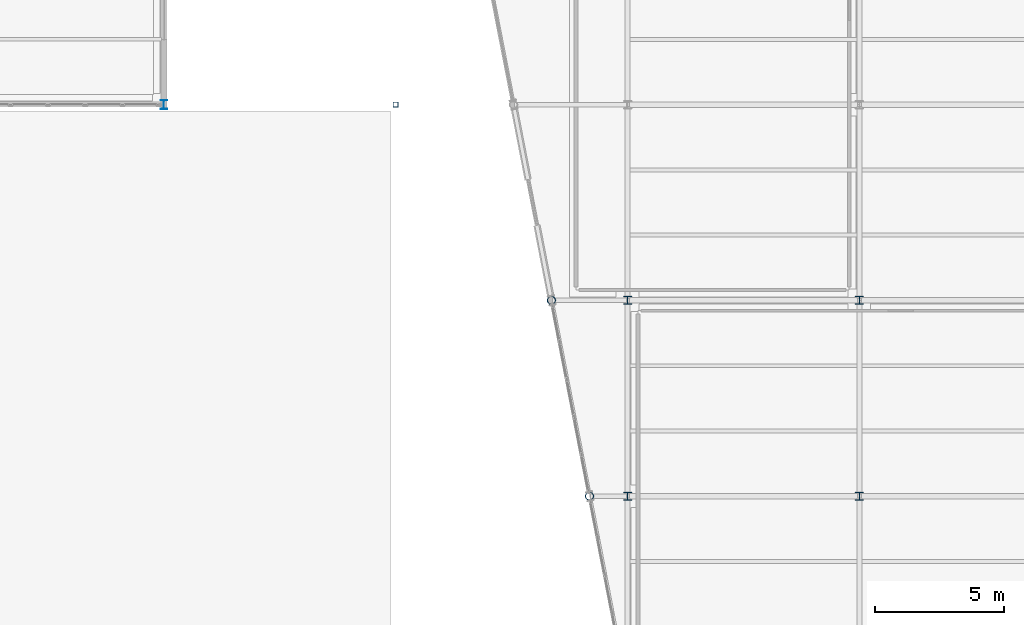
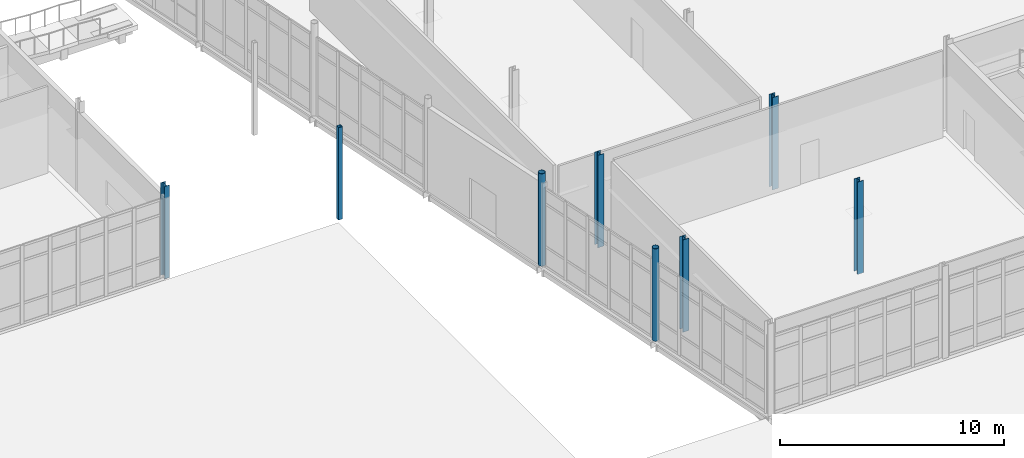
# One storey, part 21 of 161: 8 columns.
"""IFC4 building model written with IfcOpenShell, lengths in metres."""

from ifc_helpers import new_model, si_unit, direction, frame, origin, origin_2d, place, context, subcontext, project, spatial, hollow_rectangle, hollow_circle, i_section, extrude, material, material_profile, profile_set, type_object, element, save


model = new_model("IFC4")

# Units and contexts
model_context = context("Model", 3, precision=1e-05, world=origin(), true_north=direction((0.0, 1.0)))
body_context = subcontext(model_context, "Body", "Model", "MODEL_VIEW")
ifc_project = project(units=[si_unit("LENGTHUNIT", "METRE"), si_unit("AREAUNIT", "SQUARE_METRE"), si_unit("VOLUMEUNIT", "CUBIC_METRE"), si_unit("PLANEANGLEUNIT", "RADIAN"), si_unit("MASSUNIT", "GRAM", prefix="KILO")], contexts=[model_context])

# Site, building, storey
site_placement = place(None, origin())
site = spatial("IfcSite", under=ifc_project, at=site_placement, CompositionType="ELEMENT")
building_placement = place(site_placement, origin())
building = spatial("IfcBuilding", under=site, at=building_placement, Name="Caisbarro Railhouse Central Library", CompositionType="ELEMENT")
storey_placement = place(building_placement, origin())
storey = spatial("IfcBuildingStorey", under=building, at=storey_placement, Name="L00", CompositionType="ELEMENT", Elevation=0.0)

# Columns
ifc_material = material(Name="Steel ASTM A572 Grade 50", Category="steel")
ifc_material_profile_1 = material_profile(ifc_material, i_section(OverallWidth=0.31201171875, OverallDepth=0.31201171875, WebThickness=0.017333984375, FlangeThickness=0.017333984375, FilletRadius=0.014892578125, at=origin_2d()), Name="HP310X125.0")
ifc_profile_set_1 = profile_set([ifc_material_profile_1], Name="Steel ASTM A572 Grade 50")
column_type_1 = type_object("IfcColumnType", Name="COL-C03", PredefinedType="COLUMN", material=ifc_profile_set_1)
for number, where, z_axis, x_axis, name in (
    (1, (117.0, 68.39990234375, 0.0), (0.0, 0.0, 1.0), (1.0, 0.0, 0.0), "C03 column L00 (117.0,68.4)"),
    (2, (117.0, 76.0, 0.0), (0.0, 0.0, 1.0), (1.0, 0.0, 0.0), "C03 column L00 (117.0,76.0)"),
    (3, (126.0, 68.39990234375, 0.0), (0.0, 0.0, 1.0), (1.0, 0.0, 0.0), "C03 column L00 (126.0,68.4)"),
    (4, (126.0, 76.0, 0.0), (0.0, 0.0, 1.0), (1.0, 0.0, 0.0), "C03 column L00 (126.0,76.0)"),
):
    element("IfcColumn", number, at=place(storey_placement, frame(where, z_axis=z_axis, x_axis=x_axis)), inside=storey, type_object=column_type_1, Name=name, PredefinedType="COLUMN", context=body_context, shape_type="SweptSolid", body=[
        extrude(i_section(OverallWidth=0.31201171875, OverallDepth=0.31201171875, WebThickness=0.017333984375, FlangeThickness=0.017333984375, FilletRadius=0.014892578125, at=origin_2d()), origin(), (0.0, 0.0, 1.0), 5.0400390625),
    ])
ifc_material_profile_2 = material_profile(ifc_material, i_section(OverallWidth=0.25390625, OverallDepth=0.35302734375, WebThickness=0.009521484375, FlangeThickness=0.016357421875, FilletRadius=0.014892578125, at=origin_2d()), Name="W360X91.0")
ifc_profile_set_2 = profile_set([ifc_material_profile_2], Name="Steel ASTM A572 Grade 50")
column_type_2 = type_object("IfcColumnType", Name="COL-C05", PredefinedType="COLUMN", material=ifc_profile_set_2)
column_1_placement = place(storey_placement, frame((99.0, 83.60009765625, 0.0), z_axis=(0.0, 0.0, 1.0), x_axis=(1.0, 0.0, 0.0)))
element("IfcColumn", 5, at=column_1_placement, inside=storey, type_object=column_type_2, Name="C05 column L00 (99.0,83.6)", PredefinedType="COLUMN", context=body_context, shape_type="SweptSolid", body=[
    extrude(i_section(OverallWidth=0.25390625, OverallDepth=0.35302734375, WebThickness=0.009521484375, FlangeThickness=0.016357421875, FilletRadius=0.014892578125, at=origin_2d()), origin(), (0.0, 0.0, 1.0), 5.0400390625),
])
ifc_material_profile_3 = material_profile(ifc_material, hollow_rectangle(XDim=0.199951171875, YDim=0.199951171875, WallThickness=0.012451171875, at=origin_2d()), Name="HSS200X200X12.5")
ifc_profile_set_3 = profile_set([ifc_material_profile_3], Name="Steel ASTM A572 Grade 50")
column_type_3 = type_object("IfcColumnType", Name="COL-C10", PredefinedType="COLUMN", material=ifc_profile_set_3)
column_2_placement = place(storey_placement, frame((108.0, 83.60009765625, 0.0), z_axis=(0.0, 0.0, 1.0), x_axis=(1.0, 0.0, 0.0)))
element("IfcColumn", 6, at=column_2_placement, inside=storey, type_object=column_type_3, Name="C10 column L00 (108.0,83.6)", PredefinedType="COLUMN", context=body_context, shape_type="SweptSolid", body=[
    extrude(hollow_rectangle(XDim=0.199951171875, YDim=0.199951171875, WallThickness=0.012451171875, at=origin_2d()), origin(), (0.0, 0.0, 1.0), 5.0400390625),
])
ifc_material_profile_4 = material_profile(ifc_material, hollow_circle(Radius=0.161865234375, WallThickness=0.01611328125, at=origin_2d()), Name="CHS323.9X16.0")
ifc_profile_set_4 = profile_set([ifc_material_profile_4], Name="Steel ASTM A572 Grade 50")
column_type_4 = type_object("IfcColumnType", Name="COL-C11", PredefinedType="COLUMN", material=ifc_profile_set_4)
for number, where, z_axis, x_axis, name in (
    (7, (114.044921875, 76.0, 0.0), (0.0, 0.0, 1.0), (0.981627183448, 0.190808995377, 0.0), "C11 column L00 (114.0,76.0)"),
    (8, (115.52294921875, 68.39990234375, 0.0), (0.0, 0.0, 1.0), (0.981627183448, 0.190808995377, 0.0), "C11 column L00 (115.5,68.4)"),
):
    element("IfcColumn", number, at=place(storey_placement, frame(where, z_axis=z_axis, x_axis=x_axis)), inside=storey, type_object=column_type_4, Name=name, PredefinedType="COLUMN", context=body_context, shape_type="SweptSolid", body=[
        extrude(hollow_circle(Radius=0.161865234375, WallThickness=0.01611328125, at=origin_2d()), origin(), (0.0, 0.0, 1.0), 5.0400390625),
    ])

save(model, "model.ifc")
